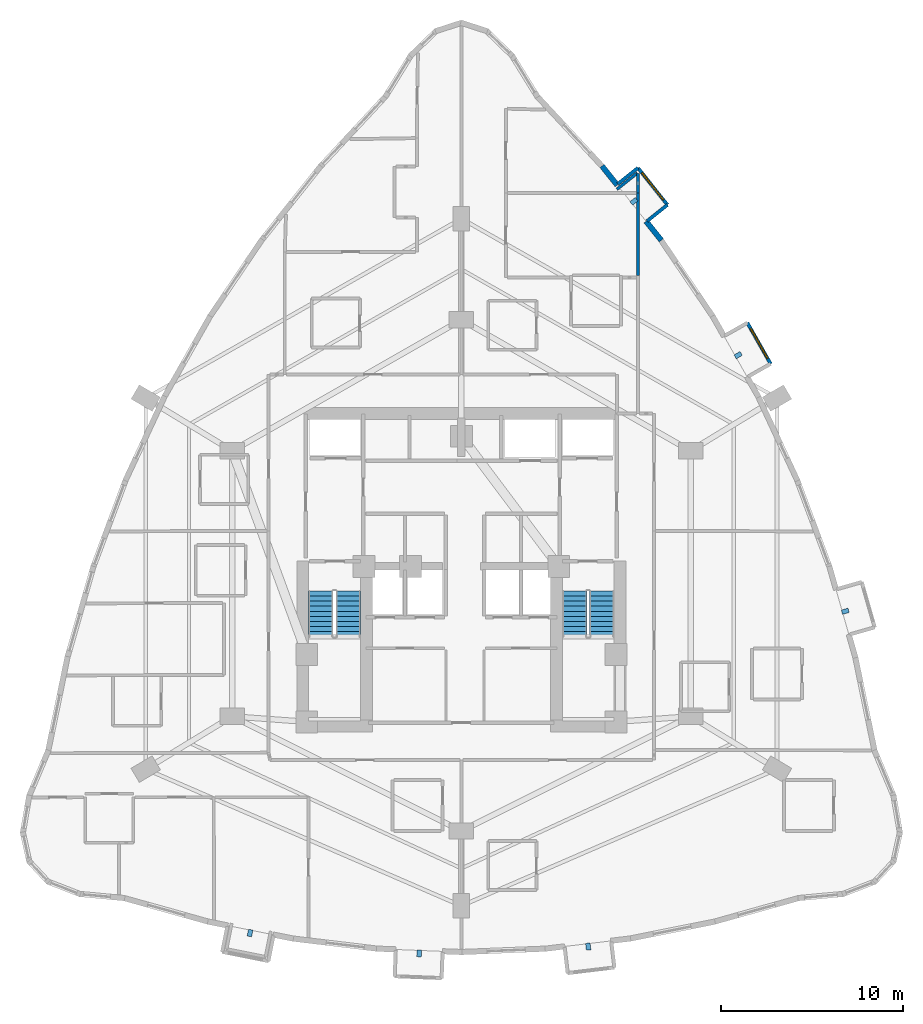
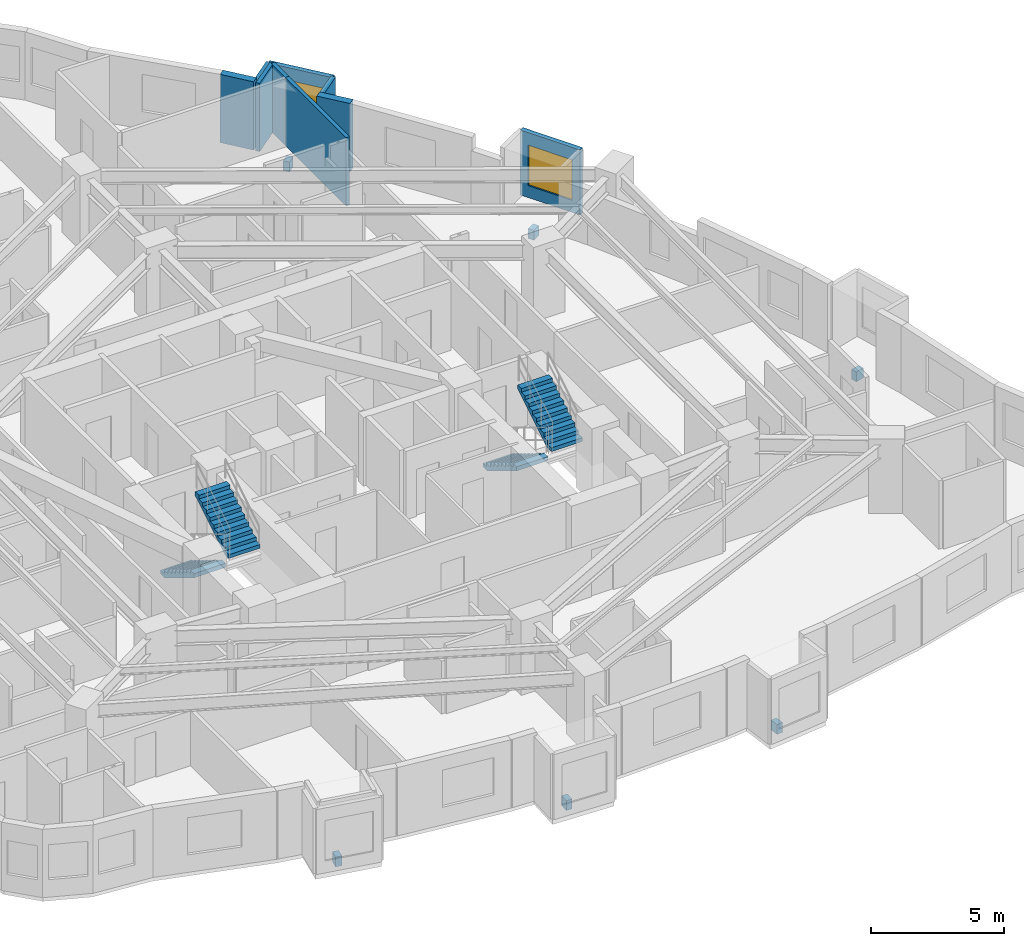
# One storey, part 14 of 15: 9 walls, 6 discrete accessories, 4 stair flights, 2 windows, 2 openings, 2 elements without a shape of their own.
"""IFC4 building model written with IfcOpenShell, lengths in metres."""

from ifc_helpers import new_model, si_unit, direction, frame, frame_2d, origin, origin_2d, place, context, subcontext, project, spatial, polyline, rectangle, outline, extrude, material, layer, layer_set, type_object, element, fill, aggregate, save


model = new_model("IFC4")

# Units and contexts
model_context = context("Model", 3, precision=1e-05, world=origin(), true_north=direction((0.0, 1.0)))
body_context = subcontext(model_context, "Body", "Model", "MODEL_VIEW")
ifc_project = project(units=[si_unit("LENGTHUNIT", "METRE"), si_unit("AREAUNIT", "SQUARE_METRE"), si_unit("VOLUMEUNIT", "CUBIC_METRE"), si_unit("PLANEANGLEUNIT", "RADIAN"), si_unit("MASSUNIT", "GRAM", prefix="KILO")], contexts=[model_context])

# Site, building, storey
site_placement = place(None, origin())
site = spatial("IfcSite", under=ifc_project, at=site_placement, CompositionType="ELEMENT")
building_placement = place(site_placement, origin())
building = spatial("IfcBuilding", under=site, at=building_placement, Name="Miruveldt Soraemaru", CompositionType="ELEMENT")
storey_placement = place(building_placement, frame((0.0, 0.0, 83.60009765625)))
storey = spatial("IfcBuildingStorey", under=building, at=storey_placement, Name="L23", CompositionType="ELEMENT", Elevation=83.60009765625)

# Wall, opening, window
ifc_material_1 = material(Name="White powder-coated aluminium EN AW-6060 T6", Category="aluminium")
ifc_layer_1 = layer(ifc_material_1, 0.18994140625, Name="White powder-coated aluminium EN AW-6060 T6", Category="aluminium")
ifc_layer_set_1 = layer_set([ifc_layer_1], Name="White powder-coated aluminium EN AW-6060 T6")
wall_type_1 = type_object("IfcWallType", Name="WALL-BAY-ALU190", PredefinedType="SOLIDWALL", material=ifc_layer_set_1)
wall_1_placement = place(storey_placement, frame((61.008056640625, 55.1826171875, 0.0), z_axis=(0.0, 0.0, 1.0), x_axis=(-0.493436596611, 0.869781768678, 0.0)))
wall_1 = element("IfcWall", 1, at=wall_1_placement, inside=storey, type_object=wall_type_1, Name="L23 Bay Window Front Frame 5", PredefinedType="SOLIDWALL", context=body_context, shape_type="SweptSolid", body=[
    extrude(rectangle(XDim=2.60009765625, YDim=0.18994140625, at=frame_2d((1.300048828125, 0.0))), origin(), (0.0, 0.0, 1.0), 2.974853515625),
])
opening_1_placement = place(wall_1_placement, frame((0.35009765625, 0.0, 0.550048828125)))
opening_1 = element("IfcOpeningElement", 2, at=opening_1_placement, cuts=wall_1, Name="Opening WN-6", PredefinedType="OPENING", context=body_context, shape_type="SweptSolid", body=[
    extrude(rectangle(XDim=1.89990234375, YDim=1.85009765625, at=frame_2d((0.949951171875, 0.925048828125))), frame((0.0, 0.10498046875, 0.0), z_axis=(0.0, -1.0, 0.0), x_axis=(1.0, 0.0, 0.0)), (0.0, 0.0, 1.0), 0.2099609375),
])
ifc_material_2 = material(Name="Triple low-e insulated glazing", Category="glass")
window_type = type_object("IfcWindowType", Name="WIN-BAYW-1900x1850", PartitioningType="SINGLE_PANEL", PredefinedType="WINDOW", material=ifc_material_2)
window_1_placement = place(opening_1_placement, origin())
window_1 = element("IfcWindow", 3, at=window_1_placement, inside=storey, type_object=window_type, Name="L23 Projecting Bay Window 5", OverallHeight=1.85009765625, OverallWidth=1.89990234375, PartitioningType="SINGLE_PANEL", PredefinedType="WINDOW", context=body_context, shape_type="SweptSolid", body=[
    extrude(rectangle(XDim=1.89990234375, YDim=1.85009765625, at=frame_2d((0.949951171875, 0.925048828125))), frame((0.0, 0.030029296875, 0.0), z_axis=(0.0, -1.0, 0.0), x_axis=(1.0, 0.0, 0.0)), (0.0, 0.0, 1.0), 0.06005859375),
])
fill(opening_1, window_1)

# Walls
for number, where, z_axis, x_axis, name in (
    (4, (54.21728515625, 63.038818359375, 0.0), (0.0, 0.0, 1.0), (0.781737193764, 0.623608017817, 0.0), "L23 Bay Window Side Cheek 6L"),
    (5, (53.7099609375, 65.9599609375, 0.0), (0.0, 0.0, 1.0), (-0.781737193764, -0.623608017817, 0.0), "L23 Bay Window Side Cheek 6R"),
):
    element("IfcWall", number, at=place(storey_placement, frame(where, z_axis=z_axis, x_axis=x_axis)), inside=storey, type_object=wall_type_1, Name=name, PredefinedType="SOLIDWALL", context=body_context, shape_type="SweptSolid", body=[
        extrude(rectangle(XDim=1.425048828125, YDim=0.18994140625, at=frame_2d((0.71240234375, 0.0))), origin(), (0.0, 0.0, 1.0), 2.974853515625),
    ])

# Wall, opening, window
wall_2_placement = place(storey_placement, frame((55.331298828125, 63.927490234375, 0.0), z_axis=(0.0, 0.0, 1.0), x_axis=(-0.623606546405, 0.781738367538, 0.0)))
wall_2 = element("IfcWall", 6, at=wall_2_placement, inside=storey, type_object=wall_type_1, Name="L23 Bay Window Front Frame 6", PredefinedType="SOLIDWALL", context=body_context, shape_type="SweptSolid", body=[
    extrude(rectangle(XDim=2.599853515625, YDim=0.18994140625, at=frame_2d((1.2998046875, 0.0))), origin(), (0.0, 0.0, 1.0), 2.974853515625),
])
opening_2_placement = place(wall_2_placement, frame((0.35009765625, 0.0, 0.550048828125)))
opening_2 = element("IfcOpeningElement", 7, at=opening_2_placement, cuts=wall_2, Name="Opening WN-6", PredefinedType="OPENING", context=body_context, shape_type="SweptSolid", body=[
    extrude(rectangle(XDim=1.89990234375, YDim=1.85009765625, at=frame_2d((0.949951171875, 0.925048828125))), frame((0.0, 0.10498046875, 0.0), z_axis=(0.0, -1.0, 0.0), x_axis=(1.0, 0.0, 0.0)), (0.0, 0.0, 1.0), 0.2099609375),
])
window_2_placement = place(opening_2_placement, origin())
window_2 = element("IfcWindow", 8, at=window_2_placement, inside=storey, type_object=window_type, Name="L23 Projecting Bay Window 6", OverallHeight=1.85009765625, OverallWidth=1.89990234375, PartitioningType="SINGLE_PANEL", PredefinedType="WINDOW", context=body_context, shape_type="SweptSolid", body=[
    extrude(rectangle(XDim=1.89990234375, YDim=1.85009765625, at=frame_2d((0.949951171875, 0.925048828125))), frame((0.0, 0.030029296875, 0.0), z_axis=(0.0, -1.0, 0.0), x_axis=(1.0, 0.0, 0.0)), (0.0, 0.0, 1.0), 0.06005859375),
])
fill(opening_2, window_2)

# Walls
ifc_material_3 = material(Name="Precast concrete C45/55 (45 MPa)", Category="concrete")
ifc_layer_2 = layer(ifc_material_3, 0.300048828125, Name="Precast concrete C45/55 (45 MPa)", Category="concrete")
ifc_layer_set_2 = layer_set([ifc_layer_2], Name="Precast concrete C45/55 (45 MPa)")
wall_type_2 = type_object("IfcWallType", Name="WALL-EXT-PC300", PredefinedType="SOLIDWALL", material=ifc_layer_set_2)
wall_3_placement = place(storey_placement, frame((54.994384765625, 61.9765625, 0.0), z_axis=(0.0, 0.0, 1.0), x_axis=(-0.623521103604, 0.781806519134, 0.0)))
element("IfcWall", 9, at=wall_3_placement, inside=storey, type_object=wall_type_2, Name="L23 Precast Pier Wall 41A", PredefinedType="SOLIDWALL", context=body_context, shape_type="SweptSolid", body=[
    extrude(rectangle(XDim=1.344970703125, YDim=0.300048828125, at=frame_2d((0.67236328125, 0.0))), origin(), (0.0, 0.0, 1.0), 3.125),
])
wall_4_placement = place(storey_placement, frame((52.57177734375, 65.013427734375, 0.0), z_axis=(0.0, 0.0, 1.0), x_axis=(-0.623609598229, 0.781735933034, 0.0)))
element("IfcWall", 10, at=wall_4_placement, inside=storey, type_object=wall_type_2, Name="L23 Precast Pier Wall 41B", PredefinedType="SOLIDWALL", context=body_context, shape_type="SweptSolid", body=[
    extrude(rectangle(XDim=1.3447265625, YDim=0.300048828125, at=frame_2d((0.67236328125, 0.0))), origin(), (0.0, 0.0, 1.0), 3.125),
])
ifc_material_4 = material(Name="Concrete C40/50 (40 MPa)", Category="concrete")
ifc_layer_3 = layer(ifc_material_4, 0.159912109375, Name="Concrete C40/50 (40 MPa)", Category="concrete")
ifc_layer_set_3 = layer_set([ifc_layer_3], Name="Concrete C40/50 (40 MPa)")
wall_type_3 = type_object("IfcWallType", Name="WALL-INT-RC160", PredefinedType="SOLIDWALL", material=ifc_layer_set_3)
wall_5_placement = place(storey_placement, frame((53.7099609375, 64.577880859375, 0.0), z_axis=(0.0, 0.0, 1.0), x_axis=(0.0, -1.0, 0.0)))
element("IfcWall", 11, at=wall_5_placement, inside=storey, type_object=wall_type_3, Name="L23 Partition Wall 94", PredefinedType="SOLIDWALL", context=body_context, shape_type="SweptSolid", body=[
    extrude(rectangle(XDim=4.546875, YDim=0.159912109375, at=frame_2d((2.2734375, 0.0))), origin(), (0.0, 0.0, 1.0), 3.125),
])
wall_6_placement = place(storey_placement, frame((53.7099609375, 64.577880859375, 0.0), z_axis=(0.0, 0.0, 1.0), x_axis=(0.0, 1.0, 0.0)))
element("IfcWall", 12, at=wall_6_placement, inside=storey, type_object=wall_type_3, Name="L23 Partition Wall 49", PredefinedType="SOLIDWALL", context=body_context, shape_type="SweptSolid", body=[
    extrude(rectangle(XDim=1.06103515625, YDim=0.159912109375, at=frame_2d((0.530517578125, 0.0))), origin(), (0.0, 0.0, 1.0), 3.125),
])
wall_7_placement = place(storey_placement, frame((52.549072265625, 64.778076171875, 0.0), z_axis=(0.0, 0.0, 1.0), x_axis=(0.781626838512, 0.623746330906, 0.0)))
element("IfcWall", 13, at=wall_7_placement, inside=storey, type_object=wall_type_3, Name="L23 Partition Wall 95", PredefinedType="SOLIDWALL", context=body_context, shape_type="SweptSolid", body=[
    extrude(rectangle(XDim=1.4443359375, YDim=0.159912109375, at=frame_2d((0.72216796875, 0.0))), origin(), (0.0, 0.0, 1.0), 3.125),
])

# Stair, stair flights
stair_type = type_object("IfcStairType", Name="STAIR-DL-340", PredefinedType="HALF_TURN_STAIR", material=ifc_material_4)
stair_1_placement = place(storey_placement, origin())
stair_1 = element("IfcStair", 14, at=stair_1_placement, inside=storey, type_object=stair_type, Name="L23 Protected Exit Stair ST-1", PredefinedType="HALF_TURN_STAIR")
stair_flight_type = type_object("IfcStairFlightType", Name="SFL-DL-340", PredefinedType="STRAIGHT", material=ifc_material_4)
stair_flight_1_placement = place(storey_placement, frame((36.27490234375, 42.699951171875, 0.0), z_axis=(0.0, 0.0, 1.0), x_axis=(0.0, -1.0, 0.0)))
stair_flight_1 = element("IfcStairFlight", 15, at=stair_flight_1_placement, type_object=stair_flight_type, Name="ST-1 flight 1", NumberOfRisers=10, NumberOfTreads=9, PredefinedType="STRAIGHT", RiserHeight=0.17, TreadLength=0.28, context=body_context, shape_type="SweptSolid", body=[
    extrude(outline(polyline([(0.0, 0.0), (0.0, 0.169921875), (0.280029296875, 0.169921875), (0.280029296875, 0.340087890625), (0.56005859375, 0.340087890625), (0.56005859375, 0.510009765625), (0.840087890625, 0.510009765625), (0.840087890625, 0.679931640625), (1.1201171875, 0.679931640625), (1.1201171875, 0.85009765625), (1.39990234375, 0.85009765625), (1.39990234375, 1.02001953125), (1.679931640625, 1.02001953125), (1.679931640625, 1.18994140625), (1.9599609375, 1.18994140625), (1.9599609375, 1.360107421875), (2.239990234375, 1.360107421875), (2.239990234375, 1.530029296875), (2.52001953125, 1.530029296875), (2.52001953125, 1.699951171875), (2.52001953125, 1.343017578125), (0.30810546875, 0.0), (0.0, 0.0)])), frame((0.0, 0.675048828125, 0.0), z_axis=(0.0, -1.0, 0.0), x_axis=(1.0, 0.0, 0.0)), (0.0, 0.0, 1.0), 1.35009765625),
])
stair_flight_2_placement = place(storey_placement, frame((37.77490234375, 40.179931640625, 1.699951171875), z_axis=(0.0, 0.0, 1.0), x_axis=(0.0, 1.0, 0.0)))
stair_flight_2 = element("IfcStairFlight", 16, at=stair_flight_2_placement, type_object=stair_flight_type, Name="ST-1 flight 2", NumberOfRisers=10, NumberOfTreads=9, PredefinedType="STRAIGHT", RiserHeight=0.17, TreadLength=0.28, context=body_context, shape_type="SweptSolid", body=[
    extrude(outline(polyline([(0.0, 0.0), (0.0, 0.169921875), (0.280029296875, 0.169921875), (0.280029296875, 0.340087890625), (0.56005859375, 0.340087890625), (0.56005859375, 0.510009765625), (0.840087890625, 0.510009765625), (0.840087890625, 0.679931640625), (1.1201171875, 0.679931640625), (1.1201171875, 0.85009765625), (1.39990234375, 0.85009765625), (1.39990234375, 1.02001953125), (1.679931640625, 1.02001953125), (1.679931640625, 1.18994140625), (1.9599609375, 1.18994140625), (1.9599609375, 1.360107421875), (2.239990234375, 1.360107421875), (2.239990234375, 1.530029296875), (2.52001953125, 1.530029296875), (2.52001953125, 1.699951171875), (2.52001953125, 1.343017578125), (0.30810546875, 0.0), (0.0, 0.0)])), frame((0.0, 0.675048828125, 0.0), z_axis=(0.0, -1.0, 0.0), x_axis=(1.0, 0.0, 0.0)), (0.0, 0.0, 1.0), 1.35009765625),
])
aggregate(stair_1, [stair_flight_1, stair_flight_2])

stair_2_placement = place(storey_placement, origin())
stair_2 = element("IfcStair", 17, at=stair_2_placement, inside=storey, type_object=stair_type, Name="L23 Protected Exit Stair ST-2", PredefinedType="HALF_TURN_STAIR")
stair_flight_3_placement = place(storey_placement, frame((50.22509765625, 42.699951171875, 0.0), z_axis=(0.0, 0.0, 1.0), x_axis=(0.0, -1.0, 0.0)))
stair_flight_3 = element("IfcStairFlight", 18, at=stair_flight_3_placement, type_object=stair_flight_type, Name="ST-2 flight 1", NumberOfRisers=10, NumberOfTreads=9, PredefinedType="STRAIGHT", RiserHeight=0.17, TreadLength=0.28, context=body_context, shape_type="SweptSolid", body=[
    extrude(outline(polyline([(0.0, 0.0), (0.0, 0.169921875), (0.280029296875, 0.169921875), (0.280029296875, 0.340087890625), (0.56005859375, 0.340087890625), (0.56005859375, 0.510009765625), (0.840087890625, 0.510009765625), (0.840087890625, 0.679931640625), (1.1201171875, 0.679931640625), (1.1201171875, 0.85009765625), (1.39990234375, 0.85009765625), (1.39990234375, 1.02001953125), (1.679931640625, 1.02001953125), (1.679931640625, 1.18994140625), (1.9599609375, 1.18994140625), (1.9599609375, 1.360107421875), (2.239990234375, 1.360107421875), (2.239990234375, 1.530029296875), (2.52001953125, 1.530029296875), (2.52001953125, 1.699951171875), (2.52001953125, 1.343017578125), (0.30810546875, 0.0), (0.0, 0.0)])), frame((0.0, 0.675048828125, 0.0), z_axis=(0.0, -1.0, 0.0), x_axis=(1.0, 0.0, 0.0)), (0.0, 0.0, 1.0), 1.35009765625),
])
stair_flight_4_placement = place(storey_placement, frame((51.72509765625, 40.179931640625, 1.699951171875), z_axis=(0.0, 0.0, 1.0), x_axis=(0.0, 1.0, 0.0)))
stair_flight_4 = element("IfcStairFlight", 19, at=stair_flight_4_placement, type_object=stair_flight_type, Name="ST-2 flight 2", NumberOfRisers=10, NumberOfTreads=9, PredefinedType="STRAIGHT", RiserHeight=0.17, TreadLength=0.28, context=body_context, shape_type="SweptSolid", body=[
    extrude(outline(polyline([(0.0, 0.0), (0.0, 0.169921875), (0.280029296875, 0.169921875), (0.280029296875, 0.340087890625), (0.56005859375, 0.340087890625), (0.56005859375, 0.510009765625), (0.840087890625, 0.510009765625), (0.840087890625, 0.679931640625), (1.1201171875, 0.679931640625), (1.1201171875, 0.85009765625), (1.39990234375, 0.85009765625), (1.39990234375, 1.02001953125), (1.679931640625, 1.02001953125), (1.679931640625, 1.18994140625), (1.9599609375, 1.18994140625), (1.9599609375, 1.360107421875), (2.239990234375, 1.360107421875), (2.239990234375, 1.530029296875), (2.52001953125, 1.530029296875), (2.52001953125, 1.699951171875), (2.52001953125, 1.343017578125), (0.30810546875, 0.0), (0.0, 0.0)])), frame((0.0, 0.675048828125, 0.0), z_axis=(0.0, -1.0, 0.0), x_axis=(1.0, 0.0, 0.0)), (0.0, 0.0, 1.0), 1.35009765625),
])
aggregate(stair_2, [stair_flight_3, stair_flight_4])

# Discrete accessories
ifc_material_5 = material(Name="Steel SM355 (355 MPa)", Category="steel")
discrete_accessory_type = type_object("IfcDiscreteAccessoryType", Name="ACC-BAY-BRK", PredefinedType="BRACKET", material=ifc_material_5)
for number, where, z_axis, x_axis, name in (
    (20, (32.3779296875, 23.88671875, -0.72021484375), (0.0, 0.0, 1.0), (-0.196100176415, -0.980583867301, 0.0), "L23 Bay Window Cantilever Bracket 1"),
    (21, (41.675537109375, 22.77099609375, -0.72021484375), (0.0, 0.0, 1.0), (-0.03997483895, -0.999200686675, 0.0), "L23 Bay Window Cantilever Bracket 2"),
    (22, (50.973388671875, 23.142822265625, -0.72021484375), (0.0, 0.0, 1.0), (0.119149147143, -0.992876367296, 0.0), "L23 Bay Window Cantilever Bracket 3"),
    (23, (65.1083984375, 41.579833984375, -0.72021484375), (0.0, 0.0, 1.0), (0.961453892845, 0.274966201438, 0.0), "L23 Bay Window Cantilever Bracket 4"),
    (24, (59.218505859375, 55.662109375, -0.72021484375), (0.0, 0.0, 1.0), (0.869830943614, 0.493349905778, 0.0), "L23 Bay Window Cantilever Bracket 5"),
    (25, (53.48876953125, 64.12060546875, -0.72021484375), (0.0, 0.0, 1.0), (0.781727315753, 0.623620400408, 0.0), "L23 Bay Window Cantilever Bracket 6"),
):
    element("IfcDiscreteAccessory", number, at=place(storey_placement, frame(where, z_axis=z_axis, x_axis=x_axis)), inside=storey, type_object=discrete_accessory_type, Name=name, PredefinedType="BRACKET", context=body_context, shape_type="SweptSolid", body=[
        extrude(rectangle(XDim=0.3798828125, YDim=0.25, at=origin_2d()), origin(), (0.0, 0.0, 1.0), 0.449951171875),
    ])

save(model, "model.ifc")
